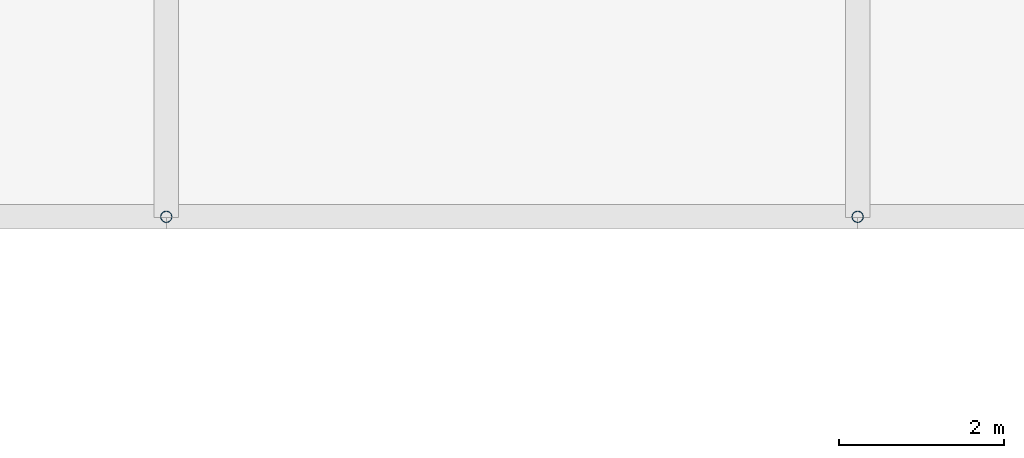
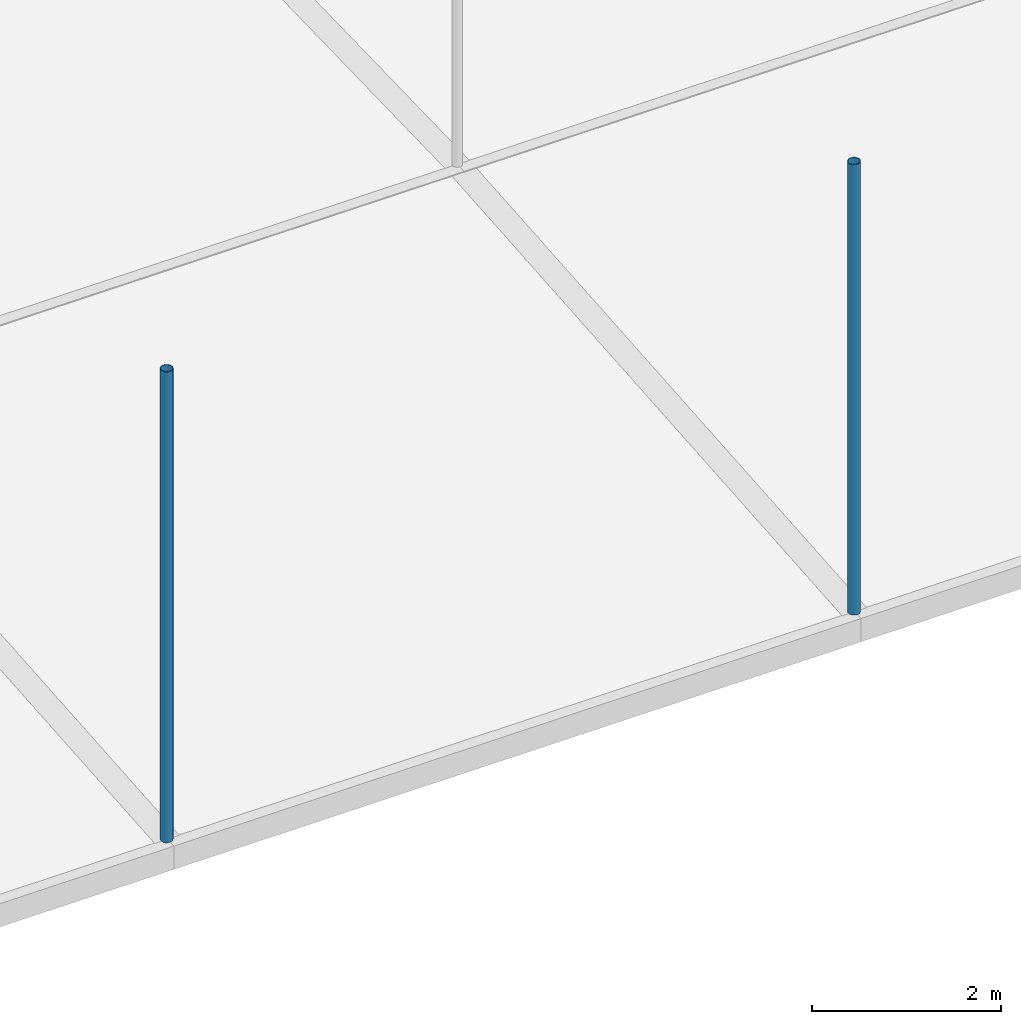
# One storey, part 18 of 37: 2 discrete accessories.
"""IFC4 building model written with IfcOpenShell, lengths in metres."""

from ifc_helpers import new_model, si_unit, direction, frame, origin, origin_2d, place, context, subcontext, project, spatial, hollow_circle, extrude, material, material_profile, profile_set, type_object, element, save


model = new_model("IFC4")

# Units and contexts
model_context = context("Model", 3, precision=1e-05, world=origin(), true_north=direction((0.0, 1.0)))
body_context = subcontext(model_context, "Body", "Model", "MODEL_VIEW")
ifc_project = project(units=[si_unit("LENGTHUNIT", "METRE"), si_unit("AREAUNIT", "SQUARE_METRE"), si_unit("VOLUMEUNIT", "CUBIC_METRE"), si_unit("PLANEANGLEUNIT", "RADIAN"), si_unit("MASSUNIT", "GRAM", prefix="KILO")], contexts=[model_context])

# Site, building, storey
site_placement = place(None, origin())
site = spatial("IfcSite", under=ifc_project, at=site_placement, CompositionType="ELEMENT")
building_placement = place(site_placement, origin())
building = spatial("IfcBuilding", under=site, at=building_placement, Name="Rain Tree Exposition and Congress Centre", CompositionType="ELEMENT")
storey_placement = place(building_placement, frame((0.0, 0.0, 25.0)))
storey = spatial("IfcBuildingStorey", under=building, at=storey_placement, Name="ROOF VAULT LOW", CompositionType="ELEMENT", Elevation=25.0)

# Discrete accessories
ifc_material = material(Name="Steel S355J2H", Category="steel")
ifc_material_profile = material_profile(ifc_material, hollow_circle(Radius=0.06982421875, WallThickness=0.0048828125, at=origin_2d()), Name="CHS 140x5")
ifc_profile_set = profile_set([ifc_material_profile], Name="Steel S355J2H")
discrete_accessory_type = type_object("IfcDiscreteAccessoryType", Name="Roof skin post CHS 140x5", PredefinedType="BRACKET", material=ifc_profile_set)
discrete_accessory_1_placement = place(storey_placement, frame((92.39990234375, 134.39990234375, 0.4892578125), z_axis=(0.0, 0.0, 1.0), x_axis=(1.0, 0.0, 0.0)))
element("IfcDiscreteAccessory", 1, at=discrete_accessory_1_placement, inside=storey, type_object=discrete_accessory_type, Name="Roof skin post A71", PredefinedType="BRACKET", context=body_context, shape_type="SweptSolid", body=[
    extrude(hollow_circle(Radius=0.06982421875, WallThickness=0.0048828125, at=origin_2d()), origin(), (0.0, 0.0, 1.0), 6.084228515625),
])
discrete_accessory_2_placement = place(storey_placement, frame((100.800048828125, 134.39990234375, 0.4892578125), z_axis=(0.0, 0.0, 1.0), x_axis=(1.0, 0.0, 0.0)))
element("IfcDiscreteAccessory", 2, at=discrete_accessory_2_placement, inside=storey, type_object=discrete_accessory_type, Name="Roof skin post A72", PredefinedType="BRACKET", context=body_context, shape_type="SweptSolid", body=[
    extrude(hollow_circle(Radius=0.06982421875, WallThickness=0.0048828125, at=origin_2d()), origin(), (0.0, 0.0, 1.0), 5.821044921875),
])

save(model, "model.ifc")
